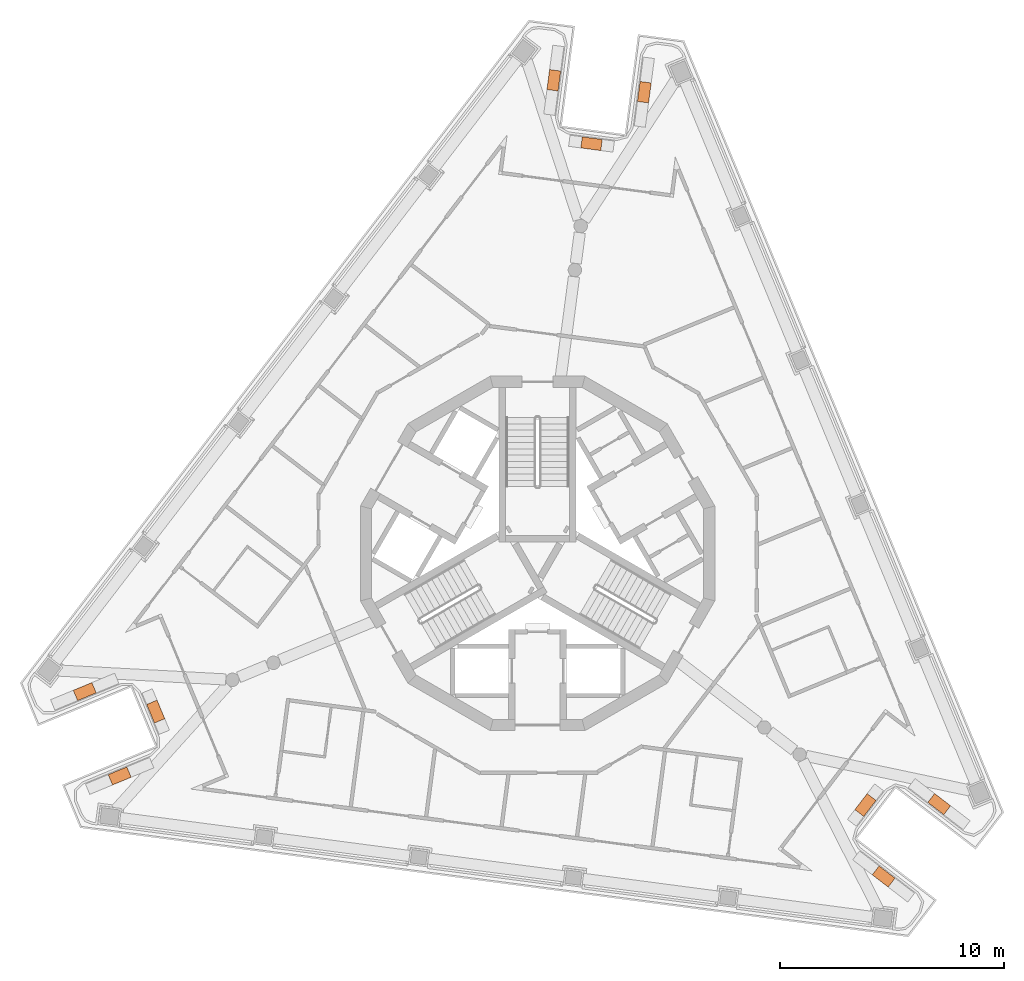
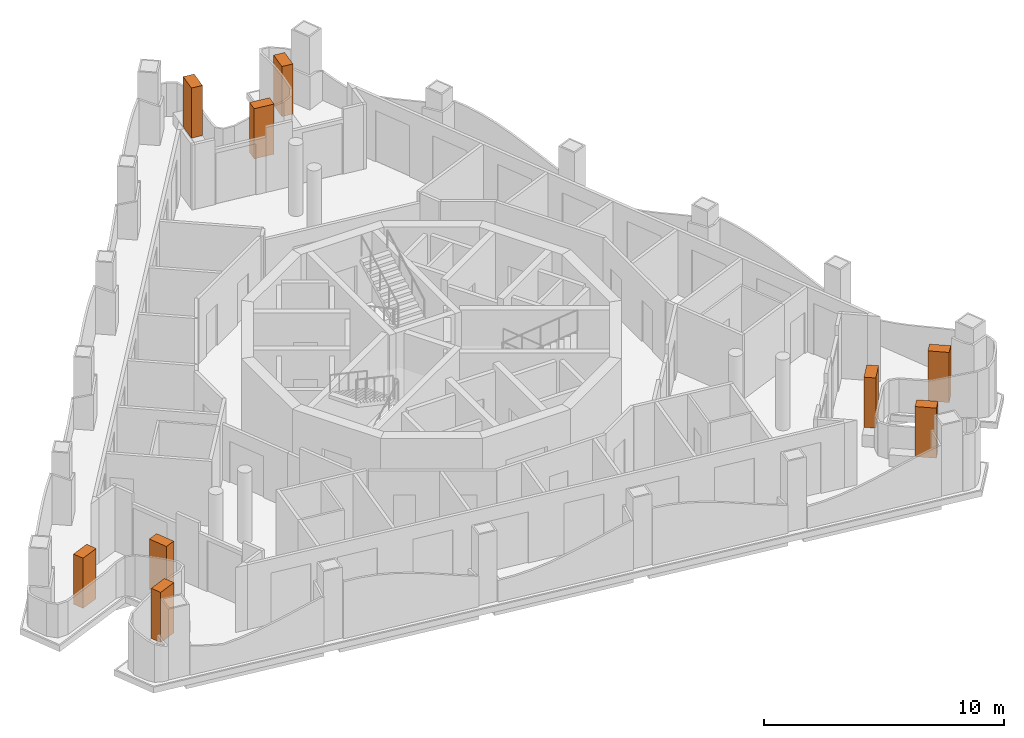
# One storey, part 12 of 12: 9 geographic elements.
"""IFC4 building model written with IfcOpenShell, lengths in metres."""

import ifcopenshell
import ifcopenshell.guid

model = None  # the IFC model being written
_history = None  # IfcOwnerHistory: only IFC2X3 demands one
_inside = {}  # id of a spatial element -> (the spatial element, [elements in it])
_under = {}  # id of a project, library or spatial element -> (it, [spatial elements below it])
_declared = {}  # id of a project -> (the project, [libraries it declares])
_typed = {}  # id of a type object -> (the type object, [elements of that type])
_made_of = {}  # id of a material, layer set ... -> (it, [elements and type objects made of it])


def new_model(schema):
    """Start an empty IFC model of exactly this schema.

    Asked for "IFC4X3", IfcOpenShell would pick the latest addendum, in which some entities
    have other attributes; the version numbers below select the first issue.
    IFC2X3 requires an IfcOwnerHistory on every rooted entity: one is made here for all.
    """
    global model, _history
    if schema == "IFC4X3":
        model = ifcopenshell.file(schema_version=(4, 3, 0, 0))
    else:
        model = ifcopenshell.file(schema=schema)
    _inside.clear()
    _under.clear()
    _declared.clear()
    _typed.clear()
    _made_of.clear()
    _history = None
    if model.schema == "IFC2X3":
        org = make("IfcOrganization", Name="unknown")
        user = make(
            "IfcPersonAndOrganization",
            ThePerson=make("IfcPerson", FamilyName="unknown"),
            TheOrganization=org,
        )
        app = make(
            "IfcApplication",
            ApplicationDeveloper=org,
            Version="unknown",
            ApplicationFullName="unknown",
            ApplicationIdentifier="unknown",
        )
        _history = make(
            "IfcOwnerHistory",
            OwningUser=user,
            OwningApplication=app,
            ChangeAction="ADDED",
            CreationDate=0,
        )
    return model


def make(cls, **values):
    """One entity of the class cls with the attributes given. An attribute that is None is left unset."""
    return model.create_entity(
        cls, **{name: value for name, value in values.items() if value is not None}
    )


def rooted(cls, **values):
    """An entity with a GlobalId (a new one), such as an element, a storey or a relation."""
    return make(cls, GlobalId=ifcopenshell.guid.new(), OwnerHistory=_history, **values)


def si_unit(unit_type, name, prefix=None):
    """IfcSIUnit, for example si_unit("LENGTHUNIT", "METRE", prefix="MILLI")."""
    return make("IfcSIUnit", UnitType=unit_type, Prefix=prefix, Name=name)


def assignment(units):
    """IfcUnitAssignment: the units of a project."""
    return None if units is None else make("IfcUnitAssignment", Units=units)


def point(xyz):
    """IfcCartesianPoint."""
    return None if xyz is None else make("IfcCartesianPoint", Coordinates=xyz)


def direction(xyz):
    """IfcDirection."""
    return None if xyz is None else make("IfcDirection", DirectionRatios=xyz)


def frame(location, z_axis=None, x_axis=None):
    """IfcAxis2Placement3D, a coordinate frame: its origin and axes. An axis left out is left unset."""
    return make(
        "IfcAxis2Placement3D",
        Location=point(location),
        Axis=direction(z_axis),
        RefDirection=direction(x_axis),
    )


def frame_2d(location, x_axis=None):
    """IfcAxis2Placement2D, a coordinate frame in the plane: its origin and x axis."""
    return make(
        "IfcAxis2Placement2D", Location=point(location), RefDirection=direction(x_axis)
    )


def origin():
    """The frame at (0, 0, 0) with its axes left unset."""
    return frame((0.0, 0.0, 0.0))


def origin_2d():
    """The frame at (0, 0) in the plane with its x axis left unset."""
    return frame_2d((0.0, 0.0))


def place(relative_to, where):
    """IfcLocalPlacement: puts the frame where relative to a parent placement (None: the world)."""
    return make(
        "IfcLocalPlacement", PlacementRelTo=relative_to, RelativePlacement=where
    )


def context(
    kind, dimensions, precision=None, world=None, true_north=None, identifier=None
):
    """IfcGeometricRepresentationContext, for example the 3D "Model" context."""
    return make(
        "IfcGeometricRepresentationContext",
        ContextIdentifier=identifier,
        ContextType=kind,
        CoordinateSpaceDimension=dimensions,
        Precision=precision,
        WorldCoordinateSystem=world,
        TrueNorth=true_north,
    )


def subcontext(parent, identifier, kind, view, scale=None):
    """IfcGeometricRepresentationSubContext, for example "Body" below "Model"."""
    return make(
        "IfcGeometricRepresentationSubContext",
        ContextIdentifier=identifier,
        ContextType=kind,
        ParentContext=parent,
        TargetScale=scale,
        TargetView=view,
    )


def project(units=None, contexts=None):
    """IfcProject with its units and contexts."""
    return rooted(
        "IfcProject",
        Name="project",
        RepresentationContexts=contexts,
        UnitsInContext=assignment(units),
    )


def spatial(cls, under=None, at=None, **own):
    """A site, building, storey or space (cls), placed at a placement, below another one or the project."""
    s = rooted(cls, ObjectPlacement=at, **own)
    if under is not None:
        _under.setdefault(under.id(), (under, []))[1].append(s)
    return s


def profile(cls, at=None, kind="AREA", **sizes):
    """A parametric profile (cls). Its sizes go by their IFC names, for example OverallWidth=200.0."""
    return make(cls, ProfileType=kind, Position=at, **sizes)


def rectangle(**sizes):
    """IfcRectangleProfileDef."""
    return profile("IfcRectangleProfileDef", **sizes)


def extrude(swept, where, along, depth):
    """IfcExtrudedAreaSolid: the profile swept, set in the frame where, extruded along a direction by depth."""
    return make(
        "IfcExtrudedAreaSolid",
        SweptArea=swept,
        Position=where,
        ExtrudedDirection=direction(along),
        Depth=depth,
    )


def shape(context_of_items, identifier, shape_type, items):
    """IfcShapeRepresentation: the items that make up one representation, for example the "Body"."""
    return make(
        "IfcShapeRepresentation",
        ContextOfItems=context_of_items,
        RepresentationIdentifier=identifier,
        RepresentationType=shape_type,
        Items=items,
    )


def made_of(thing, what):
    """Note that an element or type object is made of a material, layer set ...; save() writes the relation."""
    if what is not None:
        _made_of.setdefault(what.id(), (what, []))[1].append(thing)
    return thing


def element(
    cls,
    number,
    at=None,
    inside=None,
    cuts=None,
    type_object=None,
    material=None,
    context=None,
    identifier="Body",
    shape_type=None,
    held_by="IfcProductDefinitionShape",
    body=None,
    shapes=None,
    **own,
):
    """One element of the class cls, such as IfcWall. Its Tag is "e" and its number.

    at: its placement. inside: the storey or other place that contains it. cuts: it is an
    opening in that element (IfcRelVoidsElement). A single representation is given by context,
    identifier, shape_type and body (its items); several are given by shapes. held_by: the class
    of the entity that holds the representations. save() writes the other relations.
    """
    e = rooted(cls, Tag="e%d" % number, ObjectPlacement=at, **own)
    if body is not None:
        shapes = [shape(context, identifier, shape_type, body)]
    if shapes is not None:
        e.Representation = make(held_by, Representations=shapes)
    if inside is not None:
        _inside.setdefault(inside.id(), (inside, []))[1].append(e)
    if cuts is not None:
        rooted(
            "IfcRelVoidsElement", RelatingBuildingElement=cuts, RelatedOpeningElement=e
        )
    if type_object is not None:
        _typed.setdefault(type_object.id(), (type_object, []))[1].append(e)
    return made_of(e, material)


def aggregate(whole, parts):
    """IfcRelAggregates: a whole, such as a stair, and the parts it consists of."""
    return rooted("IfcRelAggregates", RelatingObject=whole, RelatedObjects=parts)


def save(model, path):
    """Write the relations noted so far, then the file.

    IfcRelAggregates (storeys below a building ...), IfcRelContainedInSpatialStructure (elements
    in a storey), IfcRelDefinesByType, IfcRelAssociatesMaterial and IfcRelDeclares: one each for
    every whole, place, type object, material and project.
    """
    for whole, parts in _under.values():
        aggregate(whole, parts)
    for where, things in _inside.values():
        rooted(
            "IfcRelContainedInSpatialStructure",
            RelatedElements=things,
            RelatingStructure=where,
        )
    for kind, things in _typed.values():
        rooted("IfcRelDefinesByType", RelatedObjects=things, RelatingType=kind)
    for what, things in _made_of.values():
        rooted("IfcRelAssociatesMaterial", RelatedObjects=things, RelatingMaterial=what)
    for by, libraries in _declared.values():
        rooted("IfcRelDeclares", RelatingContext=by, RelatedDefinitions=libraries)
    model.write(path)


model = new_model("IFC4")

# Units and contexts
model_context = context("Model", 3, precision=1e-05, world=origin(), true_north=direction((0.0, 1.0)))
body_context = subcontext(model_context, "Body", "Model", "MODEL_VIEW")
ifc_project = project(units=[si_unit("LENGTHUNIT", "METRE"), si_unit("AREAUNIT", "SQUARE_METRE"), si_unit("VOLUMEUNIT", "CUBIC_METRE"), si_unit("PLANEANGLEUNIT", "RADIAN"), si_unit("MASSUNIT", "GRAM", prefix="KILO")], contexts=[model_context])

# Site, building, storey
site_placement = place(None, origin())
site = spatial("IfcSite", under=ifc_project, at=site_placement, CompositionType="ELEMENT")
building_placement = place(site_placement, origin())
building = spatial("IfcBuilding", under=site, at=building_placement, Name="Trine Commons Tower", CompositionType="ELEMENT")
storey_placement = place(building_placement, frame((0.0, 0.0, 279.0)))
storey = spatial("IfcBuildingStorey", under=building, at=storey_placement, Name="L73", CompositionType="ELEMENT", Elevation=279.0)

# Geographic elements
for number, where, z_axis, x_axis, name in (
    (1, (61.31982421875, 52.554443359375, 0.60009765625), (0.0, 0.0, 1.0), (0.923885543575, 0.382668920052, 0.0), "Tree 1.1"),
    (2, (62.93212890625, 55.430419921875, 0.60009765625), (0.0, 0.0, 1.0), (-0.382688269782, 0.923877528773, 0.0), "Tree 2.1"),
    (3, (59.758544921875, 56.32373046875, 0.60009765625), (0.0, 0.0, 1.0), (-0.923885543575, -0.382668920052, 0.0), "Tree 3.1"),
    (4, (80.726806640625, 83.650146484375, 0.60009765625), (0.0, 0.0, 1.0), (-0.130514079426, -0.991446455978, 0.0), "Tree 4.1"),
    (5, (82.411376953125, 80.816162109375, 0.60009765625), (0.0, 0.0, 1.0), (0.991442583111, -0.130543496177, 0.0), "Tree 5.1"),
    (6, (84.77197265625, 83.11767578125, 0.60009765625), (0.0, 0.0, 1.0), (0.130517540226, 0.991446000392, 0.0), "Tree 6.1"),
    (7, (97.953125, 51.29541015625, 0.60009765625), (0.0, 0.0, 1.0), (-0.793348027815, 0.6087683523, 0.0), "Tree 7.1"),
    (8, (94.656494140625, 51.253662109375, 0.60009765625), (0.0, 0.0, 1.0), (-0.608764198331, -0.793351215308, 0.0), "Tree 8.1"),
    (9, (95.469482421875, 48.05859375, 0.60009765625), (0.0, 0.0, 1.0), (0.793348027815, -0.6087683523, 0.0), "Tree 9.1"),
):
    element("IfcGeographicElement", number, at=place(storey_placement, frame(where, z_axis=z_axis, x_axis=x_axis)), inside=storey, Name=name, ObjectType="TREE Tabebuia rosea", PredefinedType="USERDEFINED", context=body_context, shape_type="SweptSolid", body=[
        extrude(rectangle(XDim=0.89990234375, YDim=0.5, at=origin_2d()), origin(), (0.0, 0.0, 1.0), 2.550048828125),
    ])

save(model, "model.ifc")
